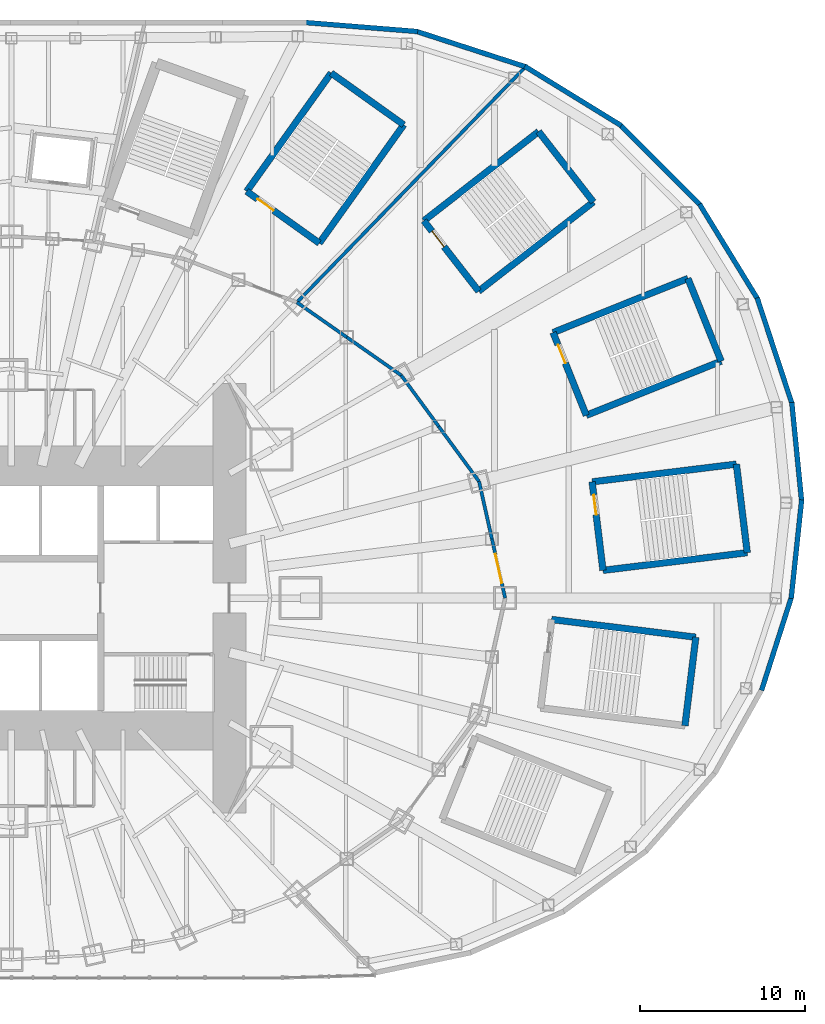
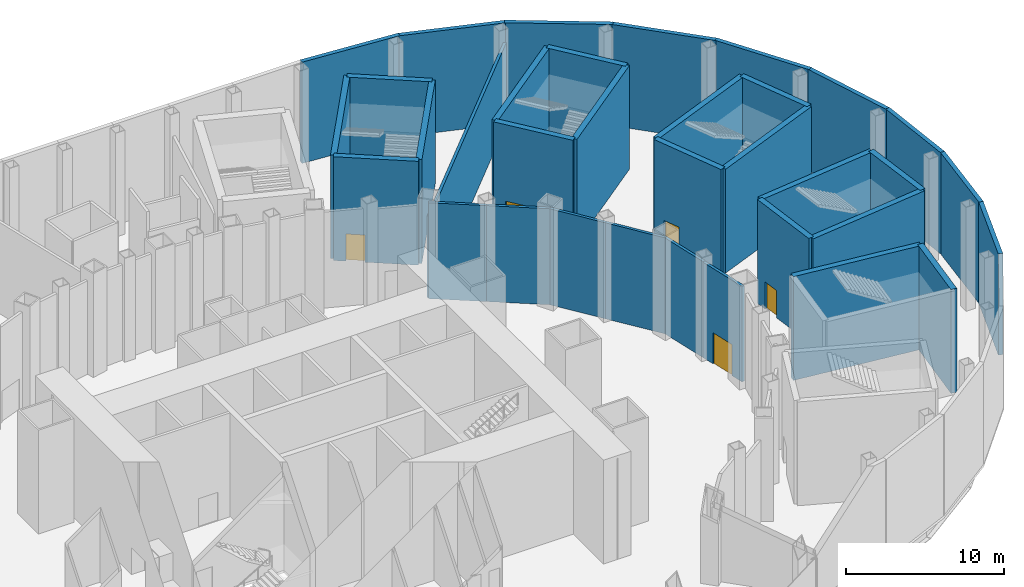
# One storey, part 17 of 74: 34 walls, 5 doors, 5 openings.
"""IFC4 building model written with IfcOpenShell, lengths in metres."""

from ifc_helpers import new_model, si_unit, direction, frame, frame_2d, origin, place, context, subcontext, project, spatial, rectangle, extrude, material, layer, layer_set, type_object, element, fill, save


model = new_model("IFC4")

# Units and contexts
model_context = context("Model", 3, precision=1e-05, world=origin(), true_north=direction((0.0, 1.0)))
body_context = subcontext(model_context, "Body", "Model", "MODEL_VIEW")
ifc_project = project(units=[si_unit("LENGTHUNIT", "METRE"), si_unit("AREAUNIT", "SQUARE_METRE"), si_unit("VOLUMEUNIT", "CUBIC_METRE"), si_unit("PLANEANGLEUNIT", "RADIAN"), si_unit("MASSUNIT", "GRAM", prefix="KILO")], contexts=[model_context])

# Site, building, storey
site_placement = place(None, origin())
site = spatial("IfcSite", under=ifc_project, at=site_placement, CompositionType="ELEMENT")
building_placement = place(site_placement, origin())
building = spatial("IfcBuilding", under=site, at=building_placement, Name="Lantaw Convention Tower", CompositionType="ELEMENT")
storey_placement = place(building_placement, frame((0.0, 0.0, 6.5)))
storey = spatial("IfcBuildingStorey", under=building, at=storey_placement, Name="L01", CompositionType="ELEMENT", Elevation=6.5)

# Walls
ifc_material_1 = material(Name="Precast concrete panel, pale aluminium rainscreen", Category="concrete")
ifc_layer_1 = layer(ifc_material_1, 0.300048828125)
ifc_layer_set_1 = layer_set([ifc_layer_1], Name="Podium external wall 300")
wall_type_1 = type_object("IfcWallType", Name="Podium external wall 300", PredefinedType="SOLIDWALL", material=ifc_layer_set_1)
wall_1_placement = place(storey_placement, frame((47.21923828125, -0.02392578125, 0.0), z_axis=(0.0, 0.0, 1.0), x_axis=(0.105835648981, 0.99438363593, 0.0)))
element("IfcWall", 1, at=wall_1_placement, inside=storey, type_object=wall_type_1, Name="Podium facade wall", PredefinedType="SOLIDWALL", context=body_context, shape_type="SweptSolid", body=[
    extrude(rectangle(XDim=6.0068359375, YDim=0.300048828125, at=frame_2d((3.00341796875, 0.0))), origin(), (0.0, 0.0, 1.0), 7.800048828125),
])
wall_2_placement = place(storey_placement, frame((47.8544921875, 5.8388671875, 0.0), z_axis=(0.0, 0.0, 1.0), x_axis=(-0.099051198898, 0.9950823383, 0.0)))
element("IfcWall", 2, at=wall_2_placement, inside=storey, type_object=wall_type_1, Name="Podium facade wall", PredefinedType="SOLIDWALL", context=body_context, shape_type="SweptSolid", body=[
    extrude(rectangle(XDim=6.036376953125, YDim=0.300048828125, at=frame_2d((3.01806640625, 0.0))), origin(), (0.0, 0.0, 1.0), 7.800048828125),
])
wall_3_placement = place(storey_placement, frame((47.27978515625, 11.735595703125, 0.0), z_axis=(0.0, 0.0, 1.0), x_axis=(-0.31263149373, 0.94987449125, 0.0)))
element("IfcWall", 3, at=wall_3_placement, inside=storey, type_object=wall_type_1, Name="Podium facade wall", PredefinedType="SOLIDWALL", context=body_context, shape_type="SweptSolid", body=[
    extrude(rectangle(XDim=6.7861328125, YDim=0.300048828125, at=frame_2d((3.39306640625, 0.0))), origin(), (0.0, 0.0, 1.0), 7.800048828125),
])
wall_4_placement = place(storey_placement, frame((45.206298828125, 18.078125, 0.0), z_axis=(0.0, 0.0, 1.0), x_axis=(-0.52225340952, 0.852790347181, 0.0)))
element("IfcWall", 4, at=wall_4_placement, inside=storey, type_object=wall_type_1, Name="Podium facade wall", PredefinedType="SOLIDWALL", context=body_context, shape_type="SweptSolid", body=[
    extrude(rectangle(XDim=6.77099609375, YDim=0.300048828125, at=frame_2d((3.385498046875, 0.0))), origin(), (0.0, 0.0, 1.0), 7.800048828125),
])
wall_5_placement = place(storey_placement, frame((41.740966796875, 23.762451171875, 0.0), z_axis=(0.0, 0.0, 1.0), x_axis=(-0.705874614645, 0.708336804352, 0.0)))
element("IfcWall", 5, at=wall_5_placement, inside=storey, type_object=wall_type_1, Name="Podium facade wall", PredefinedType="SOLIDWALL", context=body_context, shape_type="SweptSolid", body=[
    extrude(rectangle(XDim=6.94091796875, YDim=0.300048828125, at=frame_2d((3.470458984375, 0.0))), origin(), (0.0, 0.0, 1.0), 7.800048828125),
])
wall_6_placement = place(storey_placement, frame((36.931640625, 28.60791015625, 0.0), z_axis=(0.0, 0.0, 1.0), x_axis=(-0.851808565246, 0.52385319334, 0.0)))
element("IfcWall", 6, at=wall_6_placement, inside=storey, type_object=wall_type_1, Name="Podium facade wall", PredefinedType="SOLIDWALL", context=body_context, shape_type="SweptSolid", body=[
    extrude(rectangle(XDim=6.860595703125, YDim=0.300048828125, at=frame_2d((3.43017578125, 0.0))), origin(), (0.0, 0.0, 1.0), 7.800048828125),
])
wall_7_placement = place(storey_placement, frame((31.19189453125, 32.15380859375, 0.0), z_axis=(0.0, 0.0, 1.0), x_axis=(-0.951140010357, 0.308759907853, 0.0)))
element("IfcWall", 7, at=wall_7_placement, inside=storey, type_object=wall_type_1, Name="Podium facade wall", PredefinedType="SOLIDWALL", context=body_context, shape_type="SweptSolid", body=[
    extrude(rectangle(XDim=7.041259765625, YDim=0.300048828125, at=frame_2d((3.5205078125, 0.0))), origin(), (0.0, 0.0, 1.0), 7.800048828125),
])
wall_8_placement = place(storey_placement, frame((24.606689453125, 34.3056640625, 0.0), z_axis=(0.0, 0.0, 1.0), x_axis=(-0.996791084449, 0.080047073422, 0.0)))
element("IfcWall", 8, at=wall_8_placement, inside=storey, type_object=wall_type_1, Name="Podium facade wall", PredefinedType="SOLIDWALL", context=body_context, shape_type="SweptSolid", body=[
    extrude(rectangle(XDim=6.84716796875, YDim=0.300048828125, at=frame_2d((3.423583984375, 0.0))), origin(), (0.0, 0.0, 1.0), 7.800048828125),
])
wall_9_placement = place(storey_placement, frame((45.42529296875, -5.5888671875, 0.0), z_axis=(0.0, 0.0, 1.0), x_axis=(0.304991367091, 0.95235511549, 0.0)))
element("IfcWall", 9, at=wall_9_placement, inside=storey, type_object=wall_type_1, Name="Podium facade wall", PredefinedType="SOLIDWALL", context=body_context, shape_type="SweptSolid", body=[
    extrude(rectangle(XDim=5.956298828125, YDim=0.300048828125, at=frame_2d((2.97802734375, 0.0))), origin(), (0.0, 0.0, 1.0), 7.800048828125),
])

# Wall, opening, door
ifc_material_2 = material(Name="Concrete blockwork", Category="masonry")
ifc_layer_2 = layer(ifc_material_2, 0.199951171875)
ifc_layer_set_2 = layer_set([ifc_layer_2], Name="Podium partition 200")
wall_type_2 = type_object("IfcWallType", Name="Podium partition 200", PredefinedType="SOLIDWALL", material=ifc_layer_set_2)
wall_10_placement = place(storey_placement, frame((29.89990234375, 0.0, 0.0), z_axis=(0.0, 0.0, 1.0), x_axis=(-0.218631550323, 0.975807483679, 0.0)))
wall_10 = element("IfcWall", 10, at=wall_10_placement, inside=storey, type_object=wall_type_2, Name="Podium partition 200", PredefinedType="SOLIDWALL", context=body_context, shape_type="SweptSolid", body=[
    extrude(rectangle(XDim=3.66162109375, YDim=0.199951171875, at=frame_2d((1.830810546875, 0.0))), origin(), (0.0, 0.0, 1.0), 7.350341796875),
])
opening_1_placement = place(wall_10_placement, frame((0.930908203125, 0.0, 0.0)))
opening_1 = element("IfcOpeningElement", 11, at=opening_1_placement, cuts=wall_10, Name="Opening L01.11", PredefinedType="OPENING", context=body_context, shape_type="SweptSolid", body=[
    extrude(rectangle(XDim=1.800048828125, YDim=2.39990234375, at=frame_2d((0.89990234375, 1.199951171875))), frame((0.0, 0.10986328125, 0.0), z_axis=(0.0, -1.0, 0.0), x_axis=(1.0, 0.0, 0.0)), (0.0, 0.0, 1.0), 0.219970703125),
])
ifc_material_3 = material(Name="Timber", Category="wood")
door_type_1 = type_object("IfcDoorType", Name="Hall double door 1800", OperationType="DOUBLE_DOOR_DOUBLE_SWING", PredefinedType="DOOR", material=ifc_material_3)
door_1_placement = place(opening_1_placement, origin())
door_1 = element("IfcDoor", 12, at=door_1_placement, inside=storey, type_object=door_type_1, Name="Exhibition hall A door", OperationType="DOUBLE_DOOR_DOUBLE_SWING", OverallHeight=2.39990234375, OverallWidth=1.800048828125, PredefinedType="DOOR", context=body_context, shape_type="SweptSolid", body=[
    extrude(rectangle(XDim=1.800048828125, YDim=2.39990234375, at=frame_2d((0.89990234375, 1.199951171875))), frame((0.0, 0.02490234375, 0.0), z_axis=(0.0, -1.0, 0.0), x_axis=(1.0, 0.0, 0.0)), (0.0, 0.0, 1.0), 0.050048828125),
])
fill(opening_1, door_1)

# Walls
wall_11_placement = place(storey_placement, frame((29.099365234375, 3.572998046875, 0.0), z_axis=(0.0, 0.0, 1.0), x_axis=(-0.218673326171, 0.97579812278, 0.0)))
element("IfcWall", 13, at=wall_11_placement, inside=storey, type_object=wall_type_2, Name="Podium partition 200", PredefinedType="SOLIDWALL", context=body_context, shape_type="SweptSolid", body=[
    extrude(rectangle(XDim=3.57373046875, YDim=0.199951171875, at=frame_2d((1.786865234375, 0.0))), origin(), (0.0, 0.0, 1.0), 7.396240234375),
])
wall_12_placement = place(storey_placement, frame((28.31787109375, 7.060302734375, 0.0), z_axis=(0.0, 0.0, 1.0), x_axis=(-0.591255937291, 0.806483984105, 0.0)))
element("IfcWall", 14, at=wall_12_placement, inside=storey, type_object=wall_type_2, Name="Podium partition 200", PredefinedType="SOLIDWALL", context=body_context, shape_type="SweptSolid", body=[
    extrude(rectangle(XDim=4.126708984375, YDim=0.199951171875, at=frame_2d((2.0634765625, 0.0))), origin(), (0.0, 0.0, 1.0), 7.396240234375),
])
wall_13_placement = place(storey_placement, frame((25.8779296875, 10.388427734375, 0.0), z_axis=(0.0, 0.0, 1.0), x_axis=(-0.591286566758, 0.806461527893, 0.0)))
element("IfcWall", 15, at=wall_13_placement, inside=storey, type_object=wall_type_2, Name="Podium partition 200", PredefinedType="SOLIDWALL", context=body_context, shape_type="SweptSolid", body=[
    extrude(rectangle(XDim=3.843994140625, YDim=0.199951171875, at=frame_2d((1.921875, 0.0))), origin(), (0.0, 0.0, 1.0), 7.396240234375),
])
wall_14_placement = place(storey_placement, frame((23.60498046875, 13.488525390625, 0.0), z_axis=(0.0, 0.0, 1.0), x_axis=(-0.819442856133, 0.573160889744, 0.0)))
element("IfcWall", 16, at=wall_14_placement, inside=storey, type_object=wall_type_2, Name="Podium partition 200", PredefinedType="SOLIDWALL", context=body_context, shape_type="SweptSolid", body=[
    extrude(rectangle(XDim=4.022705078125, YDim=0.199951171875, at=frame_2d((2.01123046875, 0.0))), origin(), (0.0, 0.0, 1.0), 7.396240234375),
])
wall_15_placement = place(storey_placement, frame((20.30859375, 15.794189453125, 0.0), z_axis=(0.0, 0.0, 1.0), x_axis=(-0.819409395821, 0.573208724672, 0.0)))
element("IfcWall", 17, at=wall_15_placement, inside=storey, type_object=wall_type_2, Name="Podium partition 200", PredefinedType="SOLIDWALL", context=body_context, shape_type="SweptSolid", body=[
    extrude(rectangle(XDim=3.682861328125, YDim=0.199951171875, at=frame_2d((1.84130859375, 0.0))), origin(), (0.0, 0.0, 1.0), 7.396240234375),
])
wall_16_placement = place(storey_placement, frame((17.290771484375, 17.9052734375, 0.0), z_axis=(0.0, 0.0, 1.0), x_axis=(0.696460684513, 0.717594951855, 0.0)))
element("IfcWall", 18, at=wall_16_placement, inside=storey, type_object=wall_type_2, Name="Podium partition 200", PredefinedType="SOLIDWALL", context=body_context, shape_type="SweptSolid", body=[
    extrude(rectangle(XDim=19.880859375, YDim=0.199951171875, at=frame_2d((9.9404296875, 0.0))), origin(), (0.0, 0.0, 1.0), 6.300048828125),
])
ifc_material_4 = material(Name="Concrete C40/50, stair core", Category="concrete")
ifc_layer_3 = layer(ifc_material_4, 0.39990234375)
ifc_layer_set_3 = layer_set([ifc_layer_3], Name="Stair enclosure wall 400 EI 120")
wall_type_3 = type_object("IfcWallType", Name="Stair enclosure wall 400 EI 120", PredefinedType="SHEAR", material=ifc_layer_set_3)
wall_17_placement = place(storey_placement, frame((35.82275390625, 1.67822265625, 0.0), z_axis=(0.0, 0.0, 1.0), x_axis=(0.992545280606, 0.121876437212, 0.0)))
element("IfcWall", 19, at=wall_17_placement, inside=storey, type_object=wall_type_3, Name="Stair enclosure wall", PredefinedType="SHEAR", context=body_context, shape_type="SweptSolid", body=[
    extrude(rectangle(XDim=8.800048828125, YDim=0.39990234375, at=frame_2d((4.39990234375, 0.0))), origin(), (0.0, 0.0, 1.0), 8.0),
])
wall_18_placement = place(storey_placement, frame((44.55712890625, 2.750732421875, 0.0), z_axis=(0.0, 0.0, 1.0), x_axis=(-0.12184754212, 0.99254882826, 0.0)))
element("IfcWall", 20, at=wall_18_placement, inside=storey, type_object=wall_type_3, Name="Stair enclosure wall", PredefinedType="SHEAR", context=body_context, shape_type="SweptSolid", body=[
    extrude(rectangle(XDim=5.39990234375, YDim=0.39990234375, at=frame_2d((2.699951171875, 0.0))), origin(), (0.0, 0.0, 1.0), 8.0),
])
wall_19_placement = place(storey_placement, frame((43.899169921875, 8.1103515625, 0.0), z_axis=(0.0, 0.0, 1.0), x_axis=(-0.992545280606, -0.121876437212, 0.0)))
element("IfcWall", 21, at=wall_19_placement, inside=storey, type_object=wall_type_3, Name="Stair enclosure wall", PredefinedType="SHEAR", context=body_context, shape_type="SweptSolid", body=[
    extrude(rectangle(XDim=8.800048828125, YDim=0.39990234375, at=frame_2d((4.39990234375, 0.0))), origin(), (0.0, 0.0, 1.0), 8.0),
])

# Wall, opening, door
wall_20_placement = place(storey_placement, frame((35.164794921875, 7.037841796875, 0.0), z_axis=(0.0, 0.0, 1.0), x_axis=(0.12184754212, -0.99254882826, 0.0)))
wall_20 = element("IfcWall", 22, at=wall_20_placement, inside=storey, type_object=wall_type_3, Name="Stair enclosure wall", PredefinedType="SHEAR", context=body_context, shape_type="SweptSolid", body=[
    extrude(rectangle(XDim=5.39990234375, YDim=0.39990234375, at=frame_2d((2.699951171875, 0.0))), origin(), (0.0, 0.0, 1.0), 8.0),
])
opening_2_placement = place(wall_20_placement, frame((0.800048828125, 0.0, 0.0)))
opening_2 = element("IfcOpeningElement", 23, at=opening_2_placement, cuts=wall_20, Name="Opening L01.P1", PredefinedType="OPENING", context=body_context, shape_type="SweptSolid", body=[
    extrude(rectangle(XDim=1.199951171875, YDim=2.10009765625, at=frame_2d((0.60009765625, 1.050048828125))), frame((0.0, 0.2099609375, 0.0), z_axis=(0.0, -1.0, 0.0), x_axis=(1.0, 0.0, 0.0)), (0.0, 0.0, 1.0), 0.419921875),
])
ifc_material_5 = material(Name="Steel, fire rated", Category="steel")
door_type_2 = type_object("IfcDoorType", Name="Stair door FD90", OperationType="SINGLE_SWING_RIGHT", PredefinedType="DOOR", material=ifc_material_5)
door_2_placement = place(opening_2_placement, origin())
door_2 = element("IfcDoor", 24, at=door_2_placement, inside=storey, type_object=door_type_2, Name="Exit stair door", OperationType="SINGLE_SWING_RIGHT", OverallHeight=2.10009765625, OverallWidth=1.199951171875, PredefinedType="DOOR", context=body_context, shape_type="SweptSolid", body=[
    extrude(rectangle(XDim=1.199951171875, YDim=2.10009765625, at=frame_2d((0.60009765625, 1.050048828125))), frame((0.0, 0.02490234375, 0.0), z_axis=(0.0, -1.0, 0.0), x_axis=(1.0, 0.0, 0.0)), (0.0, 0.0, 1.0), 0.050048828125),
])
fill(opening_2, door_2)

# Walls
wall_21_placement = place(storey_placement, frame((34.811767578125, 11.0654296875, 0.0), z_axis=(0.0, 0.0, 1.0), x_axis=(0.92801678004, 0.372538395288, 0.0)))
element("IfcWall", 25, at=wall_21_placement, inside=storey, type_object=wall_type_3, Name="Stair enclosure wall", PredefinedType="SHEAR", context=body_context, shape_type="SweptSolid", body=[
    extrude(rectangle(XDim=8.800048828125, YDim=0.39990234375, at=frame_2d((4.39990234375, 0.0))), origin(), (0.0, 0.0, 1.0), 8.0),
])
wall_22_placement = place(storey_placement, frame((42.978271484375, 14.34375, 0.0), z_axis=(0.0, 0.0, 1.0), x_axis=(-0.372544066459, 0.928014503414, 0.0)))
element("IfcWall", 26, at=wall_22_placement, inside=storey, type_object=wall_type_3, Name="Stair enclosure wall", PredefinedType="SHEAR", context=body_context, shape_type="SweptSolid", body=[
    extrude(rectangle(XDim=5.39990234375, YDim=0.39990234375, at=frame_2d((2.699951171875, 0.0))), origin(), (0.0, 0.0, 1.0), 8.0),
])
wall_23_placement = place(storey_placement, frame((40.966552734375, 19.35498046875, 0.0), z_axis=(0.0, 0.0, 1.0), x_axis=(-0.92801678004, -0.372538395288, 0.0)))
element("IfcWall", 27, at=wall_23_placement, inside=storey, type_object=wall_type_3, Name="Stair enclosure wall", PredefinedType="SHEAR", context=body_context, shape_type="SweptSolid", body=[
    extrude(rectangle(XDim=8.800048828125, YDim=0.39990234375, at=frame_2d((4.39990234375, 0.0))), origin(), (0.0, 0.0, 1.0), 8.0),
])

# Wall, opening, door
wall_24_placement = place(storey_placement, frame((32.800048828125, 16.07666015625, 0.0), z_axis=(0.0, 0.0, 1.0), x_axis=(0.372544066459, -0.928014503414, 0.0)))
wall_24 = element("IfcWall", 28, at=wall_24_placement, inside=storey, type_object=wall_type_3, Name="Stair enclosure wall", PredefinedType="SHEAR", context=body_context, shape_type="SweptSolid", body=[
    extrude(rectangle(XDim=5.39990234375, YDim=0.39990234375, at=frame_2d((2.699951171875, 0.0))), origin(), (0.0, 0.0, 1.0), 8.0),
])
opening_3_placement = place(wall_24_placement, frame((0.800048828125, 0.0, 0.0)))
opening_3 = element("IfcOpeningElement", 29, at=opening_3_placement, cuts=wall_24, Name="Opening L01.P2", PredefinedType="OPENING", context=body_context, shape_type="SweptSolid", body=[
    extrude(rectangle(XDim=1.199951171875, YDim=2.10009765625, at=frame_2d((0.60009765625, 1.050048828125))), frame((0.0, 0.2099609375, 0.0), z_axis=(0.0, -1.0, 0.0), x_axis=(1.0, 0.0, 0.0)), (0.0, 0.0, 1.0), 0.419921875),
])
door_3_placement = place(opening_3_placement, origin())
door_3 = element("IfcDoor", 30, at=door_3_placement, inside=storey, type_object=door_type_2, Name="Exit stair door", OperationType="SINGLE_SWING_RIGHT", OverallHeight=2.10009765625, OverallWidth=1.199951171875, PredefinedType="DOOR", context=body_context, shape_type="SweptSolid", body=[
    extrude(rectangle(XDim=1.199951171875, YDim=2.10009765625, at=frame_2d((0.60009765625, 1.050048828125))), frame((0.0, 0.02490234375, 0.0), z_axis=(0.0, -1.0, 0.0), x_axis=(1.0, 0.0, 0.0)), (0.0, 0.0, 1.0), 0.050048828125),
])
fill(opening_3, door_3)

# Walls
wall_25_placement = place(storey_placement, frame((28.292724609375, 18.5830078125, 0.0), z_axis=(0.0, 0.0, 1.0), x_axis=(0.78938060008, 0.613904119726, 0.0)))
element("IfcWall", 31, at=wall_25_placement, inside=storey, type_object=wall_type_3, Name="Stair enclosure wall", PredefinedType="SHEAR", context=body_context, shape_type="SweptSolid", body=[
    extrude(rectangle(XDim=8.800048828125, YDim=0.39990234375, at=frame_2d((4.39990234375, 0.0))), origin(), (0.0, 0.0, 1.0), 8.0),
])
wall_26_placement = place(storey_placement, frame((35.2392578125, 23.9853515625, 0.0), z_axis=(0.0, 0.0, 1.0), x_axis=(-0.613912443548, 0.789374126544, 0.0)))
element("IfcWall", 32, at=wall_26_placement, inside=storey, type_object=wall_type_3, Name="Stair enclosure wall", PredefinedType="SHEAR", context=body_context, shape_type="SweptSolid", body=[
    extrude(rectangle(XDim=5.400146484375, YDim=0.39990234375, at=frame_2d((2.7001953125, 0.0))), origin(), (0.0, 0.0, 1.0), 8.0),
])
wall_27_placement = place(storey_placement, frame((31.924072265625, 28.248046875, 0.0), z_axis=(0.0, 0.0, 1.0), x_axis=(-0.78938060008, -0.613904119726, 0.0)))
element("IfcWall", 33, at=wall_27_placement, inside=storey, type_object=wall_type_3, Name="Stair enclosure wall", PredefinedType="SHEAR", context=body_context, shape_type="SweptSolid", body=[
    extrude(rectangle(XDim=8.800048828125, YDim=0.39990234375, at=frame_2d((4.39990234375, 0.0))), origin(), (0.0, 0.0, 1.0), 8.0),
])

# Wall, opening, door
wall_28_placement = place(storey_placement, frame((24.9775390625, 22.845703125, 0.0), z_axis=(0.0, 0.0, 1.0), x_axis=(0.613912443548, -0.789374126544, 0.0)))
wall_28 = element("IfcWall", 34, at=wall_28_placement, inside=storey, type_object=wall_type_3, Name="Stair enclosure wall", PredefinedType="SHEAR", context=body_context, shape_type="SweptSolid", body=[
    extrude(rectangle(XDim=5.400146484375, YDim=0.39990234375, at=frame_2d((2.7001953125, 0.0))), origin(), (0.0, 0.0, 1.0), 8.0),
])
opening_4_placement = place(wall_28_placement, frame((0.800048828125, 0.0, 0.0)))
opening_4 = element("IfcOpeningElement", 35, at=opening_4_placement, cuts=wall_28, Name="Opening L01.P3", PredefinedType="OPENING", context=body_context, shape_type="SweptSolid", body=[
    extrude(rectangle(XDim=1.199951171875, YDim=2.10009765625, at=frame_2d((0.60009765625, 1.050048828125))), frame((0.0, 0.2099609375, 0.0), z_axis=(0.0, -1.0, 0.0), x_axis=(1.0, 0.0, 0.0)), (0.0, 0.0, 1.0), 0.419921875),
])
door_4_placement = place(opening_4_placement, origin())
door_4 = element("IfcDoor", 36, at=door_4_placement, inside=storey, type_object=door_type_2, Name="Exit stair door", OperationType="SINGLE_SWING_RIGHT", OverallHeight=2.10009765625, OverallWidth=1.199951171875, PredefinedType="DOOR", context=body_context, shape_type="SweptSolid", body=[
    extrude(rectangle(XDim=1.199951171875, YDim=2.10009765625, at=frame_2d((0.60009765625, 1.050048828125))), frame((0.0, 0.02490234375, 0.0), z_axis=(0.0, -1.0, 0.0), x_axis=(1.0, 0.0, 0.0)), (0.0, 0.0, 1.0), 0.050048828125),
])
fill(opening_4, door_4)

# Walls
wall_29_placement = place(storey_placement, frame((18.647216796875, 21.492919921875, 0.0), z_axis=(0.0, 0.0, 1.0), x_axis=(0.580705313356, 0.814113836659, 0.0)))
element("IfcWall", 37, at=wall_29_placement, inside=storey, type_object=wall_type_3, Name="Stair enclosure wall", PredefinedType="SHEAR", context=body_context, shape_type="SweptSolid", body=[
    extrude(rectangle(XDim=8.7998046875, YDim=0.39990234375, at=frame_2d((4.39990234375, 0.0))), origin(), (0.0, 0.0, 1.0), 8.0),
])
wall_30_placement = place(storey_placement, frame((23.75732421875, 28.656982421875, 0.0), z_axis=(0.0, 0.0, 1.0), x_axis=(-0.814121252423, 0.580694916762, 0.0)))
element("IfcWall", 38, at=wall_30_placement, inside=storey, type_object=wall_type_3, Name="Stair enclosure wall", PredefinedType="SHEAR", context=body_context, shape_type="SweptSolid", body=[
    extrude(rectangle(XDim=5.39990234375, YDim=0.39990234375, at=frame_2d((2.699951171875, 0.0))), origin(), (0.0, 0.0, 1.0), 8.0),
])
wall_31_placement = place(storey_placement, frame((19.361083984375, 31.792724609375, 0.0), z_axis=(0.0, 0.0, 1.0), x_axis=(-0.580705313356, -0.814113836659, 0.0)))
element("IfcWall", 39, at=wall_31_placement, inside=storey, type_object=wall_type_3, Name="Stair enclosure wall", PredefinedType="SHEAR", context=body_context, shape_type="SweptSolid", body=[
    extrude(rectangle(XDim=8.7998046875, YDim=0.39990234375, at=frame_2d((4.39990234375, 0.0))), origin(), (0.0, 0.0, 1.0), 8.0),
])

# Wall, opening, door
wall_32_placement = place(storey_placement, frame((14.2509765625, 24.628662109375, 0.0), z_axis=(0.0, 0.0, 1.0), x_axis=(0.814121252423, -0.580694916762, 0.0)))
wall_32 = element("IfcWall", 40, at=wall_32_placement, inside=storey, type_object=wall_type_3, Name="Stair enclosure wall", PredefinedType="SHEAR", context=body_context, shape_type="SweptSolid", body=[
    extrude(rectangle(XDim=5.39990234375, YDim=0.39990234375, at=frame_2d((2.699951171875, 0.0))), origin(), (0.0, 0.0, 1.0), 8.0),
])
opening_5_placement = place(wall_32_placement, frame((0.800048828125, 0.0, 0.0)))
opening_5 = element("IfcOpeningElement", 41, at=opening_5_placement, cuts=wall_32, Name="Opening L01.P4", PredefinedType="OPENING", context=body_context, shape_type="SweptSolid", body=[
    extrude(rectangle(XDim=1.199951171875, YDim=2.10009765625, at=frame_2d((0.60009765625, 1.050048828125))), frame((0.0, 0.2099609375, 0.0), z_axis=(0.0, -1.0, 0.0), x_axis=(1.0, 0.0, 0.0)), (0.0, 0.0, 1.0), 0.419921875),
])
door_5_placement = place(opening_5_placement, origin())
door_5 = element("IfcDoor", 42, at=door_5_placement, inside=storey, type_object=door_type_2, Name="Exit stair door", OperationType="SINGLE_SWING_RIGHT", OverallHeight=2.10009765625, OverallWidth=1.199951171875, PredefinedType="DOOR", context=body_context, shape_type="SweptSolid", body=[
    extrude(rectangle(XDim=1.199951171875, YDim=2.10009765625, at=frame_2d((0.60009765625, 1.050048828125))), frame((0.0, 0.02490234375, 0.0), z_axis=(0.0, -1.0, 0.0), x_axis=(1.0, 0.0, 0.0)), (0.0, 0.0, 1.0), 0.050048828125),
])
fill(opening_5, door_5)

# Walls
wall_33_placement = place(storey_placement, frame((40.784912109375, -7.72802734375, 0.0), z_axis=(0.0, 0.0, 1.0), x_axis=(0.121892082937, 0.992543359314, 0.0)))
element("IfcWall", 43, at=wall_33_placement, inside=storey, type_object=wall_type_3, Name="Stair enclosure wall", PredefinedType="SHEAR", context=body_context, shape_type="SweptSolid", body=[
    extrude(rectangle(XDim=5.39990234375, YDim=0.39990234375, at=frame_2d((2.699951171875, 0.0))), origin(), (0.0, 0.0, 1.0), 8.0),
])
wall_34_placement = place(storey_placement, frame((41.443115234375, -2.368408203125, 0.0), z_axis=(0.0, 0.0, 1.0), x_axis=(-0.992545692684, 0.121873081252, 0.0)))
element("IfcWall", 44, at=wall_34_placement, inside=storey, type_object=wall_type_3, Name="Stair enclosure wall", PredefinedType="SHEAR", context=body_context, shape_type="SweptSolid", body=[
    extrude(rectangle(XDim=8.80029296875, YDim=0.39990234375, at=frame_2d((4.400146484375, 0.0))), origin(), (0.0, 0.0, 1.0), 8.0),
])

save(model, "model.ifc")
